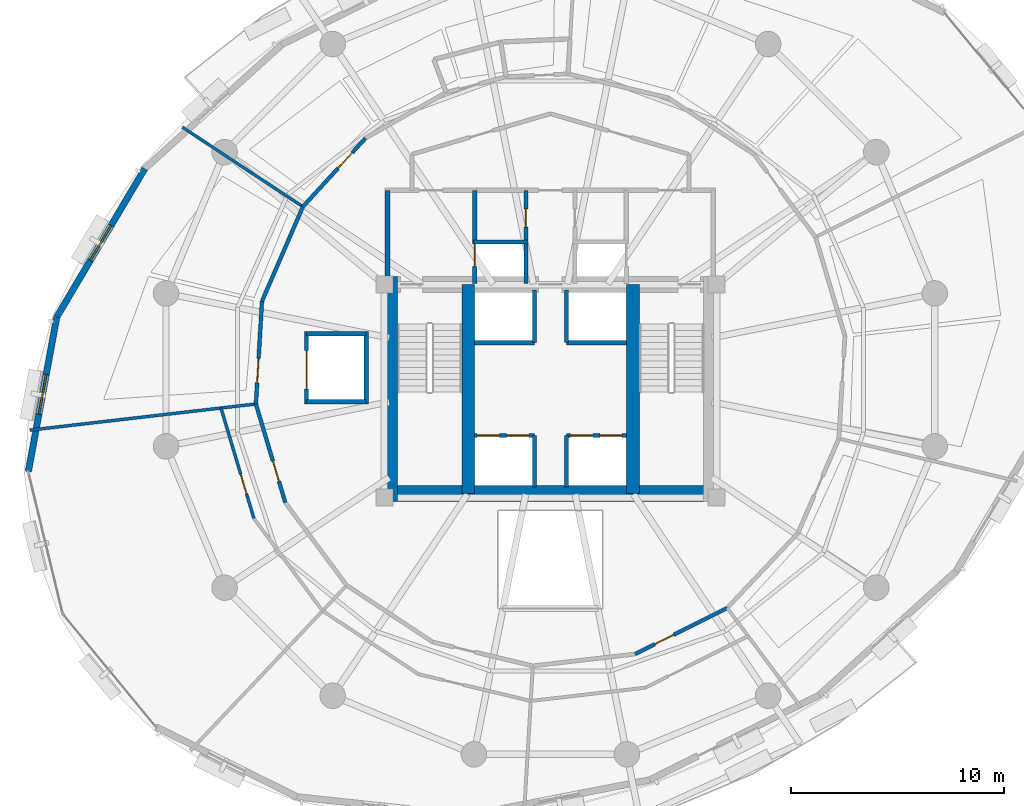
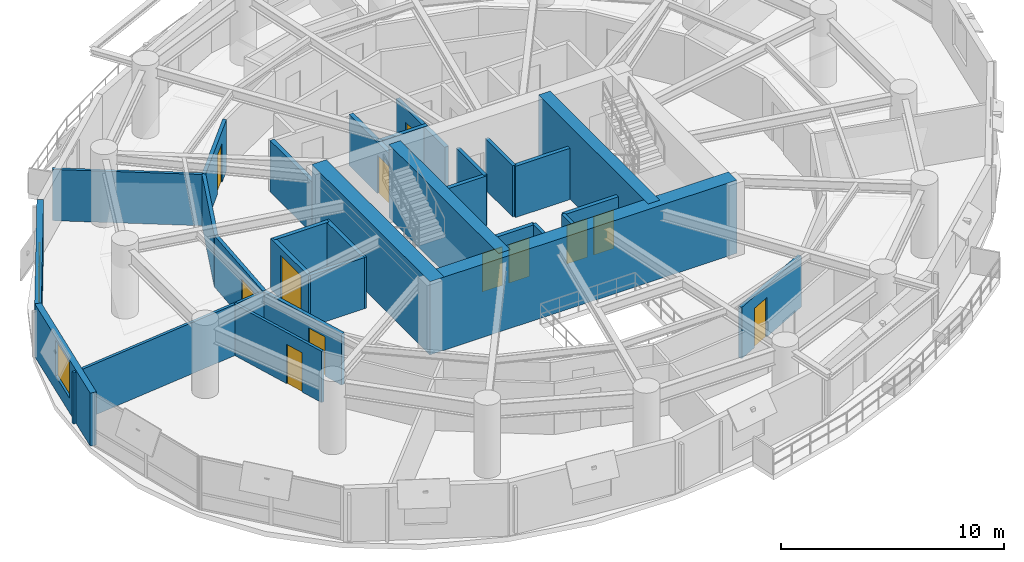
# One storey, part 10 of 14: 30 walls, 12 doors, 2 windows, 14 openings.
"""IFC4 building model written with IfcOpenShell, lengths in metres."""

from ifc_helpers import new_model, si_unit, direction, frame, frame_2d, origin, place, context, subcontext, project, spatial, rectangle, extrude, material, layer, layer_set, type_object, element, fill, save


model = new_model("IFC4")

# Units and contexts
model_context = context("Model", 3, precision=1e-05, world=origin(), true_north=direction((0.0, 1.0)))
body_context = subcontext(model_context, "Body", "Model", "MODEL_VIEW")
ifc_project = project(units=[si_unit("LENGTHUNIT", "METRE"), si_unit("AREAUNIT", "SQUARE_METRE"), si_unit("VOLUMEUNIT", "CUBIC_METRE"), si_unit("PLANEANGLEUNIT", "RADIAN"), si_unit("MASSUNIT", "GRAM", prefix="KILO"), si_unit("THERMODYNAMICTEMPERATUREUNIT", "KELVIN"), si_unit("POWERUNIT", "WATT")], contexts=[model_context])

# Site, building, storey
site_placement = place(None, origin())
site = spatial("IfcSite", under=ifc_project, at=site_placement, CompositionType="ELEMENT")
building_placement = place(site_placement, origin())
building = spatial("IfcBuilding", under=site, at=building_placement, Name="Ocrelia Relay Tower", CompositionType="ELEMENT")
storey_placement = place(building_placement, frame((0.0, 0.0, 145.800048828125)))
storey = spatial("IfcBuildingStorey", under=building, at=storey_placement, Name="L34", CompositionType="ELEMENT", Elevation=145.800048828125)

# Walls
ifc_material_1 = material(Name="Concrete C60/75", Category="concrete")
ifc_layer_1 = layer(ifc_material_1, 0.75, Name="Concrete C60/75")
ifc_layer_set_1 = layer_set([ifc_layer_1], Name="Concrete C60/75")
wall_type_1 = type_object("IfcWallType", Name="CW-CORE-750", PredefinedType="SHEAR", material=ifc_layer_set_1)
wall_1_placement = place(storey_placement, frame((26.072021484375, 20.18701171875, 0.0), z_axis=(0.0, 0.0, 1.0), x_axis=(1.0, 0.0, 0.0)))
element("IfcWall", 1, at=wall_1_placement, inside=storey, type_object=wall_type_1, Name="L34 Core Shear Wall S", PredefinedType="SHEAR", context=body_context, shape_type="SweptSolid", body=[
    extrude(rectangle(XDim=15.865966796875, YDim=0.75, at=frame_2d((7.93310546875, 0.0))), origin(), (0.0, 0.0, 1.0), 4.0),
])
wall_2_placement = place(storey_placement, frame((26.447021484375, 19.81201171875, 0.0), z_axis=(0.0, 0.0, 1.0), x_axis=(0.0, 1.0, 0.0)))
element("IfcWall", 2, at=wall_2_placement, inside=storey, type_object=wall_type_1, Name="L34 Core Shear Wall W", PredefinedType="SHEAR", context=body_context, shape_type="SweptSolid", body=[
    extrude(rectangle(XDim=10.575927734375, YDim=0.75, at=frame_2d((5.2880859375, 0.0))), origin(), (0.0, 0.0, 1.0), 4.0),
])
for number, where, z_axis, x_axis, name in (
    (3, (30.137939453125, 20.18701171875, 0.0), (0.0, 0.0, 1.0), (0.0, 1.0, 0.0), "L34 Core Shear Wall SPW"),
    (4, (37.8720703125, 20.18701171875, 0.0), (0.0, 0.0, 1.0), (0.0, 1.0, 0.0), "L34 Core Shear Wall SPE"),
):
    element("IfcWall", number, at=place(storey_placement, frame(where, z_axis=z_axis, x_axis=x_axis)), inside=storey, type_object=wall_type_1, Name=name, PredefinedType="SHEAR", context=body_context, shape_type="SweptSolid", body=[
        extrude(rectangle(XDim=9.825927734375, YDim=0.60009765625, at=frame_2d((4.9130859375, 0.0))), origin(), (0.0, 0.0, 1.0), 4.0),
    ])

# Wall, opening, door
ifc_material_2 = material(Name="Gypsum Fireboard Partition EI60", Category="gypsum")
ifc_layer_2 = layer(ifc_material_2, 0.179931640625, Name="Gypsum Fireboard Partition EI60")
ifc_layer_set_2 = layer_set([ifc_layer_2], Name="Gypsum Fireboard Partition EI60")
wall_type_2 = type_object("IfcWallType", Name="W-CORR-EI60-180", PredefinedType="PARTITIONING", material=ifc_layer_set_2)
wall_3_placement = place(storey_placement, frame((25.315673828125, 36.87890625, 0.0), z_axis=(0.0, 0.0, 1.0), x_axis=(-0.674286642673, -0.738469717397, 0.0)))
wall_3 = element("IfcWall", 5, at=wall_3_placement, inside=storey, type_object=wall_type_2, Name="L34 Network Engineering Office Corridor Partition 2", PredefinedType="PARTITIONING", context=body_context, shape_type="SweptSolid", body=[
    extrude(rectangle(XDim=4.35546875, YDim=0.179931640625, at=frame_2d((2.177734375, 0.0))), origin(), (0.0, 0.0, 1.0), 2.800048828125),
])
opening_1_placement = place(wall_3_placement, frame((0.913818359375, 0.0, 0.0)))
opening_1 = element("IfcOpeningElement", 6, at=opening_1_placement, cuts=wall_3, Name="Opening D-RM100", PredefinedType="OPENING", context=body_context, shape_type="SweptSolid", body=[
    extrude(rectangle(XDim=1.0, YDim=2.14990234375, at=frame_2d((0.5, 1.074951171875))), frame((0.0, 0.10009765625, 0.0), z_axis=(0.0, -1.0, 0.0), x_axis=(1.0, 0.0, 0.0)), (0.0, 0.0, 1.0), 0.199951171875),
])
ifc_material_3 = material(Name="Acoustic oak veneer fire door", Category="wood")
door_type_1 = type_object("IfcDoorType", Name="DR-ROOM-FD60-1000", OperationType="NOTDEFINED", PredefinedType="DOOR", material=ifc_material_3)
door_1_placement = place(opening_1_placement, origin())
door_1 = element("IfcDoor", 7, at=door_1_placement, inside=storey, type_object=door_type_1, Name="L34 Network Engineering Office Entrance Door", OperationType="SINGLE_SWING_RIGHT", OverallHeight=2.14990234375, OverallWidth=1.0, PredefinedType="DOOR", context=body_context, shape_type="SweptSolid", body=[
    extrude(rectangle(XDim=1.0, YDim=2.14990234375, at=frame_2d((0.5, 1.074951171875))), frame((0.0, 0.02490234375, 0.0), z_axis=(0.0, -1.0, 0.0), x_axis=(1.0, 0.0, 0.0)), (0.0, 0.0, 1.0), 0.050048828125),
])
fill(opening_1, door_1)

# Wall
wall_4_placement = place(storey_placement, frame((22.37890625, 33.66259765625, 0.0), z_axis=(0.0, 0.0, 1.0), x_axis=(-0.397141112734, -0.917757558714, 0.0)))
element("IfcWall", 8, at=wall_4_placement, inside=storey, type_object=wall_type_2, Name="L34 Optical Switching Hall A Corridor Partition 1", PredefinedType="PARTITIONING", context=body_context, shape_type="SweptSolid", body=[
    extrude(rectangle(XDim=4.83447265625, YDim=0.179931640625, at=frame_2d((2.417236328125, 0.0))), origin(), (0.0, 0.0, 1.0), 2.800048828125),
])

# Wall, opening, door
wall_5_placement = place(storey_placement, frame((20.458984375, 29.225830078125, 0.0), z_axis=(0.0, 0.0, 1.0), x_axis=(-0.059290431537, -0.998240774928, 0.0)))
wall_5 = element("IfcWall", 9, at=wall_5_placement, inside=storey, type_object=wall_type_2, Name="L34 Optical Switching Hall A Corridor Partition 2", PredefinedType="PARTITIONING", context=body_context, shape_type="SweptSolid", body=[
    extrude(rectangle(XDim=4.834228515625, YDim=0.179931640625, at=frame_2d((2.4169921875, 0.0))), origin(), (0.0, 0.0, 1.0), 2.800048828125),
])
opening_2_placement = place(wall_5_placement, frame((2.688232421875, 0.0, 0.0)))
opening_2 = element("IfcOpeningElement", 10, at=opening_2_placement, cuts=wall_5, Name="Opening D-RM115", PredefinedType="OPENING", context=body_context, shape_type="SweptSolid", body=[
    extrude(rectangle(XDim=1.14990234375, YDim=2.14990234375, at=frame_2d((0.574951171875, 1.074951171875))), frame((0.0, 0.10009765625, 0.0), z_axis=(0.0, -1.0, 0.0), x_axis=(1.0, 0.0, 0.0)), (0.0, 0.0, 1.0), 0.199951171875),
])
ifc_material_4 = material(Name="Wide acoustic oak veneer fire door", Category="wood")
door_type_2 = type_object("IfcDoorType", Name="DR-ROOM-1150", OperationType="NOTDEFINED", PredefinedType="DOOR", material=ifc_material_4)
door_2_placement = place(opening_2_placement, origin())
door_2 = element("IfcDoor", 11, at=door_2_placement, inside=storey, type_object=door_type_2, Name="L34 Optical Switching Hall A Entrance Door", OperationType="SINGLE_SWING_LEFT", OverallHeight=2.14990234375, OverallWidth=1.14990234375, PredefinedType="DOOR", context=body_context, shape_type="SweptSolid", body=[
    extrude(rectangle(XDim=1.14990234375, YDim=2.14990234375, at=frame_2d((0.574951171875, 1.074951171875))), frame((0.0, 0.02490234375, 0.0), z_axis=(0.0, -1.0, 0.0), x_axis=(1.0, 0.0, 0.0)), (0.0, 0.0, 1.0), 0.050048828125),
])
fill(opening_2, door_2)

wall_6_placement = place(storey_placement, frame((20.17236328125, 24.400146484375, 0.0), z_axis=(0.0, 0.0, 1.0), x_axis=(0.285674945377, -0.958326575643, 0.0)))
wall_6 = element("IfcWall", 12, at=wall_6_placement, inside=storey, type_object=wall_type_2, Name="L34 Optical Calibration Studio Corridor Partition 1", PredefinedType="PARTITIONING", context=body_context, shape_type="SweptSolid", body=[
    extrude(rectangle(XDim=4.83447265625, YDim=0.179931640625, at=frame_2d((2.417236328125, 0.0))), origin(), (0.0, 0.0, 1.0), 2.800048828125),
])
opening_3_placement = place(wall_6_placement, frame((2.80078125, 0.0, 0.0)))
opening_3 = element("IfcOpeningElement", 13, at=opening_3_placement, cuts=wall_6, Name="Opening D-RM100", PredefinedType="OPENING", context=body_context, shape_type="SweptSolid", body=[
    extrude(rectangle(XDim=1.0, YDim=2.14990234375, at=frame_2d((0.5, 1.074951171875))), frame((0.0, 0.10009765625, 0.0), z_axis=(0.0, -1.0, 0.0), x_axis=(1.0, 0.0, 0.0)), (0.0, 0.0, 1.0), 0.199951171875),
])
door_3_placement = place(opening_3_placement, origin())
door_3 = element("IfcDoor", 14, at=door_3_placement, inside=storey, type_object=door_type_1, Name="L34 Optical Calibration Studio Entrance Door", OperationType="SINGLE_SWING_RIGHT", OverallHeight=2.14990234375, OverallWidth=1.0, PredefinedType="DOOR", context=body_context, shape_type="SweptSolid", body=[
    extrude(rectangle(XDim=1.0, YDim=2.14990234375, at=frame_2d((0.5, 1.074951171875))), frame((0.0, 0.02490234375, 0.0), z_axis=(0.0, -1.0, 0.0), x_axis=(1.0, 0.0, 0.0)), (0.0, 0.0, 1.0), 0.050048828125),
])
fill(opening_3, door_3)

wall_7_placement = place(storey_placement, frame((37.976806640625, 12.66015625, 0.0), z_axis=(0.0, 0.0, 1.0), x_axis=(0.894164433442, 0.447738725115, 0.0)))
wall_7 = element("IfcWall", 15, at=wall_7_placement, inside=storey, type_object=wall_type_2, Name="L34 Photonics Metrology Lab Corridor Partition 2", PredefinedType="PARTITIONING", context=body_context, shape_type="SweptSolid", body=[
    extrude(rectangle(XDim=4.83447265625, YDim=0.179931640625, at=frame_2d((2.417236328125, 0.0))), origin(), (0.0, 0.0, 1.0), 2.800048828125),
])
opening_4_placement = place(wall_7_placement, frame((1.03369140625, 0.0, 0.0)))
opening_4 = element("IfcOpeningElement", 16, at=opening_4_placement, cuts=wall_7, Name="Opening D-RM100", PredefinedType="OPENING", context=body_context, shape_type="SweptSolid", body=[
    extrude(rectangle(XDim=1.0, YDim=2.14990234375, at=frame_2d((0.5, 1.074951171875))), frame((0.0, 0.10009765625, 0.0), z_axis=(0.0, -1.0, 0.0), x_axis=(1.0, 0.0, 0.0)), (0.0, 0.0, 1.0), 0.199951171875),
])
door_4_placement = place(opening_4_placement, origin())
door_4 = element("IfcDoor", 17, at=door_4_placement, inside=storey, type_object=door_type_1, Name="L34 Photonics Metrology Lab Entrance Door", OperationType="SINGLE_SWING_RIGHT", OverallHeight=2.14990234375, OverallWidth=1.0, PredefinedType="DOOR", context=body_context, shape_type="SweptSolid", body=[
    extrude(rectangle(XDim=1.0, YDim=2.14990234375, at=frame_2d((0.5, 1.074951171875))), frame((0.0, 0.02490234375, 0.0), z_axis=(0.0, -1.0, 0.0), x_axis=(1.0, 0.0, 0.0)), (0.0, 0.0, 1.0), 0.050048828125),
])
fill(opening_4, door_4)

# Wall, opening, window
ifc_material_5 = material(Name="Precast concrete C40/50 with oxide terracotta", Category="masonry")
ifc_layer_3 = layer(ifc_material_5, 0.300048828125, Name="Precast concrete C40/50 with oxide terracotta")
ifc_layer_set_3 = layer_set([ifc_layer_3], Name="Precast concrete C40/50 with oxide terracotta")
wall_type_3 = type_object("IfcWallType", Name="W-EXT-TERR-300", PredefinedType="SOLIDWALL", material=ifc_layer_set_3)
wall_8_placement = place(storey_placement, frame((14.95458984375, 35.446044921875, 0.0), z_axis=(0.0, 0.0, 1.0), x_axis=(-0.510285094065, -0.860005303922, 0.0)))
wall_8 = element("IfcWall", 18, at=wall_8_placement, inside=storey, type_object=wall_type_3, Name="L34 Oxide Terracotta Facade Wall 07", PredefinedType="SOLIDWALL", context=body_context, shape_type="SweptSolid", body=[
    extrude(rectangle(XDim=8.09521484375, YDim=0.300048828125, at=frame_2d((4.047607421875, 0.0))), origin(), (0.0, 0.0, 1.0), 2.89990234375),
])
opening_5_placement = place(wall_8_placement, frame((3.097900390625, 0.0, 0.800048828125)))
opening_5 = element("IfcOpeningElement", 19, at=opening_5_placement, cuts=wall_8, Name="Opening W-06", PredefinedType="OPENING", context=body_context, shape_type="SweptSolid", body=[
    extrude(rectangle(XDim=1.89990234375, YDim=1.949951171875, at=frame_2d((0.949951171875, 0.97509765625))), frame((0.0, 0.16015625, 0.0), z_axis=(0.0, -1.0, 0.0), x_axis=(1.0, 0.0, 0.0)), (0.0, 0.0, 1.0), 0.320068359375),
])
ifc_material_6 = material(Name="Clear double-glazed low-E glass", Category="glass")
window_type = type_object("IfcWindowType", Name="WIN-Z2-1900x2100", PartitioningType="DOUBLE_PANEL_VERTICAL", PredefinedType="WINDOW", material=ifc_material_6)
window_1_placement = place(opening_5_placement, origin())
window_1 = element("IfcWindow", 20, at=window_1_placement, inside=storey, type_object=window_type, Name="L34 Facade Module Window 07", OverallHeight=1.949951171875, OverallWidth=1.89990234375, PartitioningType="SINGLE_PANEL", PredefinedType="WINDOW", context=body_context, shape_type="SweptSolid", body=[
    extrude(rectangle(XDim=1.89990234375, YDim=1.949951171875, at=frame_2d((0.949951171875, 0.97509765625))), frame((0.0, 0.030029296875, 0.0), z_axis=(0.0, -1.0, 0.0), x_axis=(1.0, 0.0, 0.0)), (0.0, 0.0, 1.0), 0.06005859375),
])
fill(opening_5, window_1)

wall_9_placement = place(storey_placement, frame((10.82373046875, 28.484130859375, 0.0), z_axis=(0.0, 0.0, 1.0), x_axis=(-0.180843444068, -0.983511895575, 0.0)))
wall_9 = element("IfcWall", 21, at=wall_9_placement, inside=storey, type_object=wall_type_3, Name="L34 Oxide Terracotta Facade Wall 08", PredefinedType="SOLIDWALL", context=body_context, shape_type="SweptSolid", body=[
    extrude(rectangle(XDim=7.38330078125, YDim=0.300048828125, at=frame_2d((3.691650390625, 0.0))), origin(), (0.0, 0.0, 1.0), 2.89990234375),
])
opening_6_placement = place(wall_9_placement, frame((2.741943359375, 0.0, 0.800048828125)))
opening_6 = element("IfcOpeningElement", 22, at=opening_6_placement, cuts=wall_9, Name="Opening W-06", PredefinedType="OPENING", context=body_context, shape_type="SweptSolid", body=[
    extrude(rectangle(XDim=1.89990234375, YDim=1.949951171875, at=frame_2d((0.949951171875, 0.97509765625))), frame((0.0, 0.16015625, 0.0), z_axis=(0.0, -1.0, 0.0), x_axis=(1.0, 0.0, 0.0)), (0.0, 0.0, 1.0), 0.320068359375),
])
window_2_placement = place(opening_6_placement, origin())
window_2 = element("IfcWindow", 23, at=window_2_placement, inside=storey, type_object=window_type, Name="L34 Facade Module Window 08", OverallHeight=1.949951171875, OverallWidth=1.89990234375, PartitioningType="SINGLE_PANEL", PredefinedType="WINDOW", context=body_context, shape_type="SweptSolid", body=[
    extrude(rectangle(XDim=1.89990234375, YDim=1.949951171875, at=frame_2d((0.949951171875, 0.97509765625))), frame((0.0, 0.030029296875, 0.0), z_axis=(0.0, -1.0, 0.0), x_axis=(1.0, 0.0, 0.0)), (0.0, 0.0, 1.0), 0.06005859375),
])
fill(opening_6, window_2)

# Wall
ifc_material_7 = material(Name="Concrete C50/60", Category="concrete")
ifc_layer_4 = layer(ifc_material_7, 0.219970703125, Name="Concrete C50/60")
ifc_layer_set_4 = layer_set([ifc_layer_4], Name="Concrete C50/60")
wall_type_4 = type_object("IfcWallType", Name="W-FFL-EI120-220", PredefinedType="SOLIDWALL", material=ifc_layer_set_4)
wall_10_placement = place(storey_placement, frame((26.35009765625, 30.050048828125, 0.0), z_axis=(0.0, 0.0, 1.0), x_axis=(0.0, 1.0, 0.0)))
element("IfcWall", 24, at=wall_10_placement, inside=storey, type_object=wall_type_4, Name="L34 W Fire Service Lift Lobby West Wall", PredefinedType="SOLIDWALL", context=body_context, shape_type="SweptSolid", body=[
    extrude(rectangle(XDim=4.3798828125, YDim=0.219970703125, at=frame_2d((2.18994140625, 0.0))), origin(), (0.0, 0.0, 1.0), 2.800048828125),
])

# Wall, opening, door
wall_11_placement = place(storey_placement, frame((30.43994140625, 30.050048828125, 0.0), z_axis=(0.0, 0.0, 1.0), x_axis=(0.0, 1.0, 0.0)))
wall_11 = element("IfcWall", 25, at=wall_11_placement, inside=storey, type_object=wall_type_4, Name="L34 W Fire Service Lift Lobby East Wall", PredefinedType="SOLIDWALL", context=body_context, shape_type="SweptSolid", body=[
    extrude(rectangle(XDim=4.3798828125, YDim=0.219970703125, at=frame_2d((2.18994140625, 0.0))), origin(), (0.0, 0.0, 1.0), 2.800048828125),
])
opening_7_placement = place(wall_11_placement, frame((0.800048828125, 0.0, 0.0)))
opening_7 = element("IfcOpeningElement", 26, at=opening_7_placement, cuts=wall_11, Name="Opening LD-FFL1", PredefinedType="OPENING", context=body_context, shape_type="SweptSolid", body=[
    extrude(rectangle(XDim=1.050048828125, YDim=2.10009765625, at=frame_2d((0.52490234375, 1.050048828125))), frame((0.0, 0.1201171875, 0.0), z_axis=(0.0, -1.0, 0.0), x_axis=(1.0, 0.0, 0.0)), (0.0, 0.0, 1.0), 0.239990234375),
])
ifc_material_8 = material(Name="Brushed stainless steel S355 lift landing door", Category="steel")
door_type_3 = type_object("IfcDoorType", Name="DR-LIFT-LAND-1050", OperationType="DOUBLE_DOOR_SLIDING", PredefinedType="USERDEFINED", material=ifc_material_8)
door_5_placement = place(opening_7_placement, origin())
door_5 = element("IfcDoor", 27, at=door_5_placement, inside=storey, type_object=door_type_3, Name="L34 Firefighting Lift FFL1 Sliding Landing Door", ObjectType="LANDING DOOR", OperationType="DOUBLE_DOOR_SLIDING", OverallHeight=2.10009765625, OverallWidth=1.050048828125, PredefinedType="USERDEFINED", context=body_context, shape_type="SweptSolid", body=[
    extrude(rectangle(XDim=1.050048828125, YDim=2.10009765625, at=frame_2d((0.52490234375, 1.050048828125))), frame((0.0, 0.02490234375, 0.0), z_axis=(0.0, -1.0, 0.0), x_axis=(1.0, 0.0, 0.0)), (0.0, 0.0, 1.0), 0.050048828125),
])
fill(opening_7, door_5)

# Walls
ifc_material_9 = material(Name="Acoustic Fireboard Partition EI60", Category="gypsum")
ifc_layer_5 = layer(ifc_material_9, 0.139892578125, Name="Acoustic Fireboard Partition EI60")
ifc_layer_set_5 = layer_set([ifc_layer_5], Name="Acoustic Fireboard Partition EI60")
wall_type_5 = type_object("IfcWallType", Name="W-PART-140", PredefinedType="PARTITIONING", material=ifc_layer_set_5)
wall_12_placement = place(storey_placement, frame((22.37890625, 33.66259765625, 0.0), z_axis=(0.0, 0.0, 1.0), x_axis=(-0.834831833546, 0.550505049657, 0.0)))
element("IfcWall", 28, at=wall_12_placement, inside=storey, type_object=wall_type_5, Name="L34 Network Engineering Office Radial Partition", PredefinedType="PARTITIONING", context=body_context, shape_type="SweptSolid", body=[
    extrude(rectangle(XDim=6.780029296875, YDim=0.139892578125, at=frame_2d((3.39013671875, 0.0))), origin(), (0.0, 0.0, 1.0), 2.800048828125),
])
wall_13_placement = place(storey_placement, frame((20.17236328125, 24.400146484375, 0.0), z_axis=(0.0, 0.0, 1.0), x_axis=(-0.993372759645, -0.114937201965, 0.0)))
element("IfcWall", 29, at=wall_13_placement, inside=storey, type_object=wall_type_5, Name="L34 Optical Switching Hall A Radial Partition", PredefinedType="PARTITIONING", context=body_context, shape_type="SweptSolid", body=[
    extrude(rectangle(XDim=10.684326171875, YDim=0.139892578125, at=frame_2d((5.34228515625, 0.0))), origin(), (0.0, 0.0, 1.0), 2.800048828125),
])

# Wall, opening, door
wall_14_placement = place(storey_placement, frame((18.533203125, 24.21044921875, 0.0), z_axis=(0.0, 0.0, 1.0), x_axis=(0.285657458943, -0.958331788135, 0.0)))
wall_14 = element("IfcWall", 30, at=wall_14_placement, inside=storey, type_object=wall_type_5, Name="L34 Perimeter Optical Calibration Studio Mid-Ring Partition 1", PredefinedType="PARTITIONING", context=body_context, shape_type="SweptSolid", body=[
    extrude(rectangle(XDim=5.407470703125, YDim=0.139892578125, at=frame_2d((2.70361328125, 0.0))), origin(), (0.0, 0.0, 1.0), 2.800048828125),
])
opening_8_placement = place(wall_14_placement, frame((3.2529296875, 0.0, 0.0)))
opening_8 = element("IfcOpeningElement", 31, at=opening_8_placement, cuts=wall_14, Name="Opening D-RM95", PredefinedType="OPENING", context=body_context, shape_type="SweptSolid", body=[
    extrude(rectangle(XDim=0.949951171875, YDim=2.14990234375, at=frame_2d((0.47509765625, 1.074951171875))), frame((0.0, 0.080078125, 0.0), z_axis=(0.0, -1.0, 0.0), x_axis=(1.0, 0.0, 0.0)), (0.0, 0.0, 1.0), 0.159912109375),
])
door_type_4 = type_object("IfcDoorType", Name="DR-ROOM-950", OperationType="NOTDEFINED", PredefinedType="DOOR", material=ifc_material_3)
door_6_placement = place(opening_8_placement, origin())
door_6 = element("IfcDoor", 32, at=door_6_placement, inside=storey, type_object=door_type_4, Name="L34 Perimeter Optical Calibration Studio Connecting Door", OperationType="SINGLE_SWING_LEFT", OverallHeight=2.14990234375, OverallWidth=0.949951171875, PredefinedType="DOOR", context=body_context, shape_type="SweptSolid", body=[
    extrude(rectangle(XDim=0.949951171875, YDim=2.14990234375, at=frame_2d((0.47509765625, 1.074951171875))), frame((0.0, 0.02490234375, 0.0), z_axis=(0.0, -1.0, 0.0), x_axis=(1.0, 0.0, 0.0)), (0.0, 0.0, 1.0), 0.050048828125),
])
fill(opening_8, door_6)

# Wall
ifc_layer_6 = layer(ifc_material_7, 0.199951171875, Name="Concrete C50/60")
ifc_layer_set_6 = layer_set([ifc_layer_6], Name="Concrete C50/60")
wall_type_6 = type_object("IfcWallType", Name="W-SHAFT-EI120-200", PredefinedType="SOLIDWALL", material=ifc_layer_set_6)
wall_15_placement = place(storey_placement, frame((30.39990234375, 32.0, 0.0), z_axis=(0.0, 0.0, 1.0), x_axis=(1.0, 0.0, 0.0)))
element("IfcWall", 33, at=wall_15_placement, inside=storey, type_object=wall_type_6, Name="L34 FFL1 Hoistway North Wall", PredefinedType="SOLIDWALL", context=body_context, shape_type="SweptSolid", body=[
    extrude(rectangle(XDim=2.550048828125, YDim=0.199951171875, at=frame_2d((1.27490234375, 0.0))), origin(), (0.0, 0.0, 1.0), 2.800048828125),
])

# Wall, opening, door
wall_16_placement = place(storey_placement, frame((32.85009765625, 30.050048828125, 0.0), z_axis=(0.0, 0.0, 1.0), x_axis=(0.0, 1.0, 0.0)))
wall_16 = element("IfcWall", 34, at=wall_16_placement, inside=storey, type_object=wall_type_6, Name="L34 FFL1 and Service Vestibule Wall", PredefinedType="SOLIDWALL", context=body_context, shape_type="SweptSolid", body=[
    extrude(rectangle(XDim=4.3798828125, YDim=0.199951171875, at=frame_2d((2.18994140625, 0.0))), origin(), (0.0, 0.0, 1.0), 2.800048828125),
])
opening_9_placement = place(wall_16_placement, frame((2.64990234375, 0.0, 0.0)))
opening_9 = element("IfcOpeningElement", 35, at=opening_9_placement, cuts=wall_16, Name="Opening D-RS86", PredefinedType="OPENING", context=body_context, shape_type="SweptSolid", body=[
    extrude(rectangle(XDim=0.860107421875, YDim=2.050048828125, at=frame_2d((0.43017578125, 1.02490234375))), frame((0.0, 0.10986328125, 0.0), z_axis=(0.0, -1.0, 0.0), x_axis=(1.0, 0.0, 0.0)), (0.0, 0.0, 1.0), 0.219970703125),
])
ifc_material_10 = material(Name="Steel S355 riser access fire door", Category="steel")
door_type_5 = type_object("IfcDoorType", Name="DR-RISER-TRAP-860", OperationType="NOTDEFINED", PredefinedType="TRAPDOOR", material=ifc_material_10)
door_7_placement = place(opening_9_placement, origin())
door_7 = element("IfcDoor", 36, at=door_7_placement, inside=storey, type_object=door_type_5, Name="L34 Core Support Room W Door", OperationType="SINGLE_SWING_RIGHT", OverallHeight=2.050048828125, OverallWidth=0.860107421875, PredefinedType="TRAPDOOR", context=body_context, shape_type="SweptSolid", body=[
    extrude(rectangle(XDim=0.860107421875, YDim=2.050048828125, at=frame_2d((0.43017578125, 1.02490234375))), frame((0.0, 0.02490234375, 0.0), z_axis=(0.0, -1.0, 0.0), x_axis=(1.0, 0.0, 0.0)), (0.0, 0.0, 1.0), 0.050048828125),
])
fill(opening_9, door_7)

# Wall, openings, doors
wall_17_placement = place(storey_placement, frame((30.43994140625, 22.919921875, 0.0), z_axis=(0.0, 0.0, 1.0), x_axis=(1.0, 0.0, 0.0)))
wall_17 = element("IfcWall", 37, at=wall_17_placement, inside=storey, type_object=wall_type_6, Name="L34 Low-Rise Lift Hoistway Wall W", PredefinedType="SOLIDWALL", context=body_context, shape_type="SweptSolid", body=[
    extrude(rectangle(XDim=2.81005859375, YDim=0.199951171875, at=frame_2d((1.405029296875, 0.0))), origin(), (0.0, 0.0, 1.0), 2.800048828125),
])
opening_10_placement = place(wall_17_placement, frame((0.1201171875, 0.0, 0.0)))
opening_10 = element("IfcOpeningElement", 38, at=opening_10_placement, cuts=wall_17, Name="Opening LD-PL1", PredefinedType="OPENING", context=body_context, shape_type="SweptSolid", body=[
    extrude(rectangle(XDim=1.050048828125, YDim=2.10009765625, at=frame_2d((0.52490234375, 1.050048828125))), frame((0.0, 0.10986328125, 0.0), z_axis=(0.0, -1.0, 0.0), x_axis=(1.0, 0.0, 0.0)), (0.0, 0.0, 1.0), 0.219970703125),
])
opening_11_placement = place(wall_17_placement, frame((1.5, 0.0, 0.0)))
opening_11 = element("IfcOpeningElement", 39, at=opening_11_placement, cuts=wall_17, Name="Opening LD-PL2", PredefinedType="OPENING", context=body_context, shape_type="SweptSolid", body=[
    extrude(rectangle(XDim=1.050048828125, YDim=2.10009765625, at=frame_2d((0.52490234375, 1.050048828125))), frame((0.0, 0.10986328125, 0.0), z_axis=(0.0, -1.0, 0.0), x_axis=(1.0, 0.0, 0.0)), (0.0, 0.0, 1.0), 0.219970703125),
])
door_8_placement = place(opening_10_placement, origin())
door_8 = element("IfcDoor", 40, at=door_8_placement, inside=storey, type_object=door_type_3, Name="L34 Passenger Lift PL1 Sliding Landing Door", ObjectType="LANDING DOOR", OperationType="DOUBLE_DOOR_SLIDING", OverallHeight=2.10009765625, OverallWidth=1.050048828125, PredefinedType="USERDEFINED", context=body_context, shape_type="SweptSolid", body=[
    extrude(rectangle(XDim=1.050048828125, YDim=2.10009765625, at=frame_2d((0.52490234375, 1.050048828125))), frame((0.0, 0.02490234375, 0.0), z_axis=(0.0, -1.0, 0.0), x_axis=(1.0, 0.0, 0.0)), (0.0, 0.0, 1.0), 0.050048828125),
])
fill(opening_10, door_8)
door_9_placement = place(opening_11_placement, origin())
door_9 = element("IfcDoor", 41, at=door_9_placement, inside=storey, type_object=door_type_3, Name="L34 Passenger Lift PL2 Sliding Landing Door", ObjectType="LANDING DOOR", OperationType="DOUBLE_DOOR_SLIDING", OverallHeight=2.10009765625, OverallWidth=1.050048828125, PredefinedType="USERDEFINED", context=body_context, shape_type="SweptSolid", body=[
    extrude(rectangle(XDim=1.050048828125, YDim=2.10009765625, at=frame_2d((0.52490234375, 1.050048828125))), frame((0.0, 0.02490234375, 0.0), z_axis=(0.0, -1.0, 0.0), x_axis=(1.0, 0.0, 0.0)), (0.0, 0.0, 1.0), 0.050048828125),
])
fill(opening_11, door_9)

# Wall
wall_18_placement = place(storey_placement, frame((33.25, 20.5, 0.0), z_axis=(0.0, 0.0, 1.0), x_axis=(0.0, 1.0, 0.0)))
element("IfcWall", 42, at=wall_18_placement, inside=storey, type_object=wall_type_6, Name="L34 Low-Rise Lift Throat Wall W", PredefinedType="SOLIDWALL", context=body_context, shape_type="SweptSolid", body=[
    extrude(rectangle(XDim=2.419921875, YDim=0.179931640625, at=frame_2d((1.2099609375, 0.0))), origin(), (0.0, 0.0, 1.0), 2.800048828125),
])

# Wall, openings, doors
wall_19_placement = place(storey_placement, frame((34.75, 22.919921875, 0.0), z_axis=(0.0, 0.0, 1.0), x_axis=(1.0, 0.0, 0.0)))
wall_19 = element("IfcWall", 43, at=wall_19_placement, inside=storey, type_object=wall_type_6, Name="L34 Low-Rise Lift Hoistway Wall E", PredefinedType="SOLIDWALL", context=body_context, shape_type="SweptSolid", body=[
    extrude(rectangle(XDim=2.81005859375, YDim=0.199951171875, at=frame_2d((1.405029296875, 0.0))), origin(), (0.0, 0.0, 1.0), 2.800048828125),
])
opening_12_placement = place(wall_19_placement, frame((0.18994140625, 0.0, 0.0)))
opening_12 = element("IfcOpeningElement", 44, at=opening_12_placement, cuts=wall_19, Name="Opening LD-PL3", PredefinedType="OPENING", context=body_context, shape_type="SweptSolid", body=[
    extrude(rectangle(XDim=1.050048828125, YDim=2.10009765625, at=frame_2d((0.52490234375, 1.050048828125))), frame((0.0, 0.10986328125, 0.0), z_axis=(0.0, -1.0, 0.0), x_axis=(1.0, 0.0, 0.0)), (0.0, 0.0, 1.0), 0.219970703125),
])
opening_13_placement = place(wall_19_placement, frame((1.570068359375, 0.0, 0.0)))
opening_13 = element("IfcOpeningElement", 45, at=opening_13_placement, cuts=wall_19, Name="Opening LD-PL4", PredefinedType="OPENING", context=body_context, shape_type="SweptSolid", body=[
    extrude(rectangle(XDim=1.050048828125, YDim=2.10009765625, at=frame_2d((0.52490234375, 1.050048828125))), frame((0.0, 0.10986328125, 0.0), z_axis=(0.0, -1.0, 0.0), x_axis=(1.0, 0.0, 0.0)), (0.0, 0.0, 1.0), 0.219970703125),
])
door_10_placement = place(opening_12_placement, origin())
door_10 = element("IfcDoor", 46, at=door_10_placement, inside=storey, type_object=door_type_3, Name="L34 Passenger Lift PL3 Sliding Landing Door", ObjectType="LANDING DOOR", OperationType="DOUBLE_DOOR_SLIDING", OverallHeight=2.10009765625, OverallWidth=1.050048828125, PredefinedType="USERDEFINED", context=body_context, shape_type="SweptSolid", body=[
    extrude(rectangle(XDim=1.050048828125, YDim=2.10009765625, at=frame_2d((0.52490234375, 1.050048828125))), frame((0.0, 0.02490234375, 0.0), z_axis=(0.0, -1.0, 0.0), x_axis=(1.0, 0.0, 0.0)), (0.0, 0.0, 1.0), 0.050048828125),
])
fill(opening_12, door_10)
door_11_placement = place(opening_13_placement, origin())
door_11 = element("IfcDoor", 47, at=door_11_placement, inside=storey, type_object=door_type_3, Name="L34 Passenger Lift PL4 Sliding Landing Door", ObjectType="LANDING DOOR", OperationType="DOUBLE_DOOR_SLIDING", OverallHeight=2.10009765625, OverallWidth=1.050048828125, PredefinedType="USERDEFINED", context=body_context, shape_type="SweptSolid", body=[
    extrude(rectangle(XDim=1.050048828125, YDim=2.10009765625, at=frame_2d((0.52490234375, 1.050048828125))), frame((0.0, 0.02490234375, 0.0), z_axis=(0.0, -1.0, 0.0), x_axis=(1.0, 0.0, 0.0)), (0.0, 0.0, 1.0), 0.050048828125),
])
fill(opening_13, door_11)

# Walls
wall_20_placement = place(storey_placement, frame((34.75, 20.5, 0.0), z_axis=(0.0, 0.0, 1.0), x_axis=(0.0, 1.0, 0.0)))
element("IfcWall", 48, at=wall_20_placement, inside=storey, type_object=wall_type_6, Name="L34 Low-Rise Lift Throat Wall E", PredefinedType="SOLIDWALL", context=body_context, shape_type="SweptSolid", body=[
    extrude(rectangle(XDim=2.419921875, YDim=0.179931640625, at=frame_2d((1.2099609375, 0.0))), origin(), (0.0, 0.0, 1.0), 2.800048828125),
])
wall_21_placement = place(storey_placement, frame((30.43994140625, 27.280029296875, 0.0), z_axis=(0.0, 0.0, 1.0), x_axis=(1.0, 0.0, 0.0)))
element("IfcWall", 49, at=wall_21_placement, inside=storey, type_object=wall_type_6, Name="L34 High-Rise Lift Hoistway Wall W", PredefinedType="SOLIDWALL", context=body_context, shape_type="SweptSolid", body=[
    extrude(rectangle(XDim=2.81005859375, YDim=0.199951171875, at=frame_2d((1.405029296875, 0.0))), origin(), (0.0, 0.0, 1.0), 2.800048828125),
])
wall_22_placement = place(storey_placement, frame((33.25, 27.280029296875, 0.0), z_axis=(0.0, 0.0, 1.0), x_axis=(0.0, 1.0, 0.0)))
element("IfcWall", 50, at=wall_22_placement, inside=storey, type_object=wall_type_6, Name="L34 High-Rise Lift Throat Wall W", PredefinedType="SOLIDWALL", context=body_context, shape_type="SweptSolid", body=[
    extrude(rectangle(XDim=2.469970703125, YDim=0.179931640625, at=frame_2d((1.23486328125, 0.0))), origin(), (0.0, 0.0, 1.0), 2.800048828125),
])
wall_23_placement = place(storey_placement, frame((34.75, 27.280029296875, 0.0), z_axis=(0.0, 0.0, 1.0), x_axis=(1.0, 0.0, 0.0)))
element("IfcWall", 51, at=wall_23_placement, inside=storey, type_object=wall_type_6, Name="L34 High-Rise Lift Hoistway Wall E", PredefinedType="SOLIDWALL", context=body_context, shape_type="SweptSolid", body=[
    extrude(rectangle(XDim=2.81005859375, YDim=0.199951171875, at=frame_2d((1.405029296875, 0.0))), origin(), (0.0, 0.0, 1.0), 2.800048828125),
])
wall_24_placement = place(storey_placement, frame((34.75, 27.280029296875, 0.0), z_axis=(0.0, 0.0, 1.0), x_axis=(0.0, 1.0, 0.0)))
element("IfcWall", 52, at=wall_24_placement, inside=storey, type_object=wall_type_6, Name="L34 High-Rise Lift Throat Wall E", PredefinedType="SOLIDWALL", context=body_context, shape_type="SweptSolid", body=[
    extrude(rectangle(XDim=2.469970703125, YDim=0.179931640625, at=frame_2d((1.23486328125, 0.0))), origin(), (0.0, 0.0, 1.0), 2.800048828125),
])

# Wall, opening, door
wall_25_placement = place(storey_placement, frame((22.550048828125, 24.39990234375, 0.0), z_axis=(0.0, 0.0, 1.0), x_axis=(0.0, 1.0, 0.0)))
wall_25 = element("IfcWall", 53, at=wall_25_placement, inside=storey, type_object=wall_type_6, Name="L34 Goods Lift Shaft West Wall", PredefinedType="SOLIDWALL", context=body_context, shape_type="SweptSolid", body=[
    extrude(rectangle(XDim=3.400146484375, YDim=0.199951171875, at=frame_2d((1.7001953125, 0.0))), origin(), (0.0, 0.0, 1.0), 2.800048828125),
])
opening_14_placement = place(wall_25_placement, frame((0.699951171875, 0.0, 0.0)))
opening_14 = element("IfcOpeningElement", 54, at=opening_14_placement, cuts=wall_25, Name="Opening LD-GL1", PredefinedType="OPENING", context=body_context, shape_type="SweptSolid", body=[
    extrude(rectangle(XDim=1.800048828125, YDim=2.39990234375, at=frame_2d((0.89990234375, 1.199951171875))), frame((0.0, 0.10986328125, 0.0), z_axis=(0.0, -1.0, 0.0), x_axis=(1.0, 0.0, 0.0)), (0.0, 0.0, 1.0), 0.219970703125),
])
ifc_material_11 = material(Name="Heavy-duty stainless steel S355 goods landing door", Category="steel")
door_type_6 = type_object("IfcDoorType", Name="DR-GOODS-LAND-1800", OperationType="DOUBLE_DOOR_SLIDING", PredefinedType="USERDEFINED", material=ifc_material_11)
door_12_placement = place(opening_14_placement, origin())
door_12 = element("IfcDoor", 55, at=door_12_placement, inside=storey, type_object=door_type_6, Name="L34 Goods Lift GL1 Sliding Landing Door", ObjectType="LANDING DOOR", OperationType="DOUBLE_DOOR_SLIDING", OverallHeight=2.39990234375, OverallWidth=1.800048828125, PredefinedType="USERDEFINED", context=body_context, shape_type="SweptSolid", body=[
    extrude(rectangle(XDim=1.800048828125, YDim=2.39990234375, at=frame_2d((0.89990234375, 1.199951171875))), frame((0.0, 0.02490234375, 0.0), z_axis=(0.0, -1.0, 0.0), x_axis=(1.0, 0.0, 0.0)), (0.0, 0.0, 1.0), 0.050048828125),
])
fill(opening_14, door_12)

# Walls
wall_26_placement = place(storey_placement, frame((25.35009765625, 24.39990234375, 0.0), z_axis=(0.0, 0.0, 1.0), x_axis=(0.0, 1.0, 0.0)))
element("IfcWall", 56, at=wall_26_placement, inside=storey, type_object=wall_type_6, Name="L34 Goods Lift Shaft E Wall", PredefinedType="SOLIDWALL", context=body_context, shape_type="SweptSolid", body=[
    extrude(rectangle(XDim=3.400146484375, YDim=0.199951171875, at=frame_2d((1.7001953125, 0.0))), origin(), (0.0, 0.0, 1.0), 2.800048828125),
])
for number, where, z_axis, x_axis, name in (
    (57, (22.550048828125, 24.5, 0.0), (0.0, 0.0, 1.0), (1.0, 0.0, 0.0), "L34 Goods Lift Shaft S Wall"),
    (58, (22.550048828125, 27.699951171875, 0.0), (0.0, 0.0, 1.0), (1.0, 0.0, 0.0), "L34 Goods Lift Shaft N Wall"),
):
    element("IfcWall", number, at=place(storey_placement, frame(where, z_axis=z_axis, x_axis=x_axis)), inside=storey, type_object=wall_type_6, Name=name, PredefinedType="SOLIDWALL", context=body_context, shape_type="SweptSolid", body=[
        extrude(rectangle(XDim=2.800048828125, YDim=0.199951171875, at=frame_2d((1.39990234375, 0.0))), origin(), (0.0, 0.0, 1.0), 2.800048828125),
    ])

save(model, "model.ifc")
